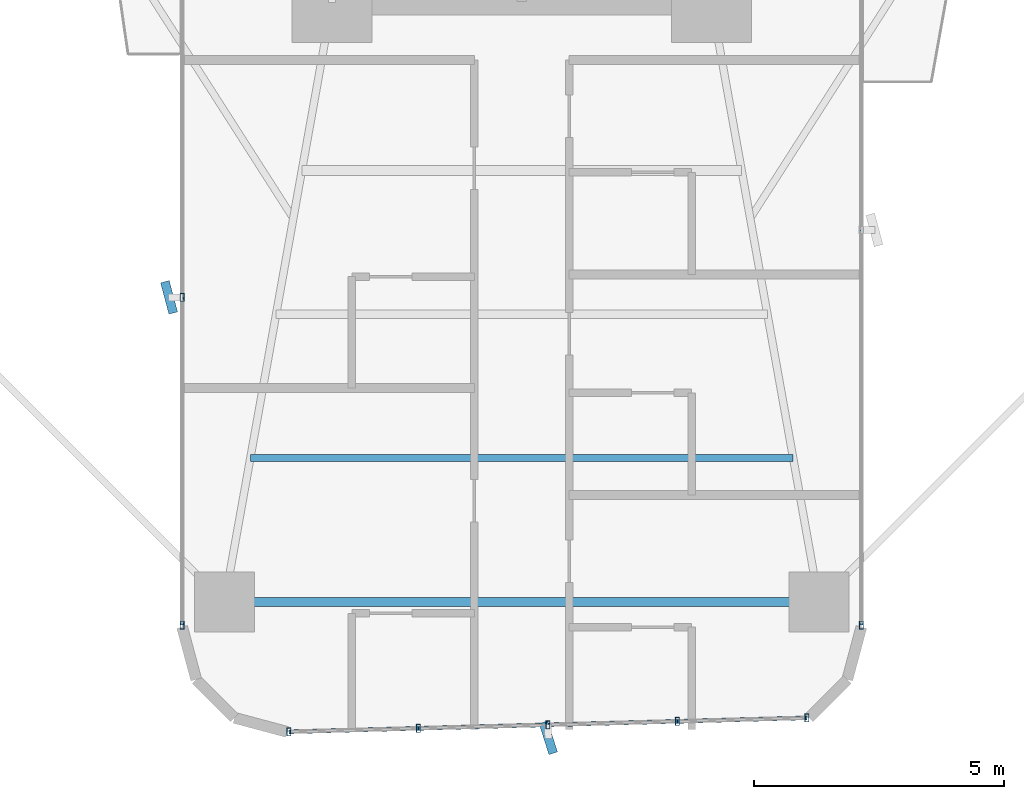
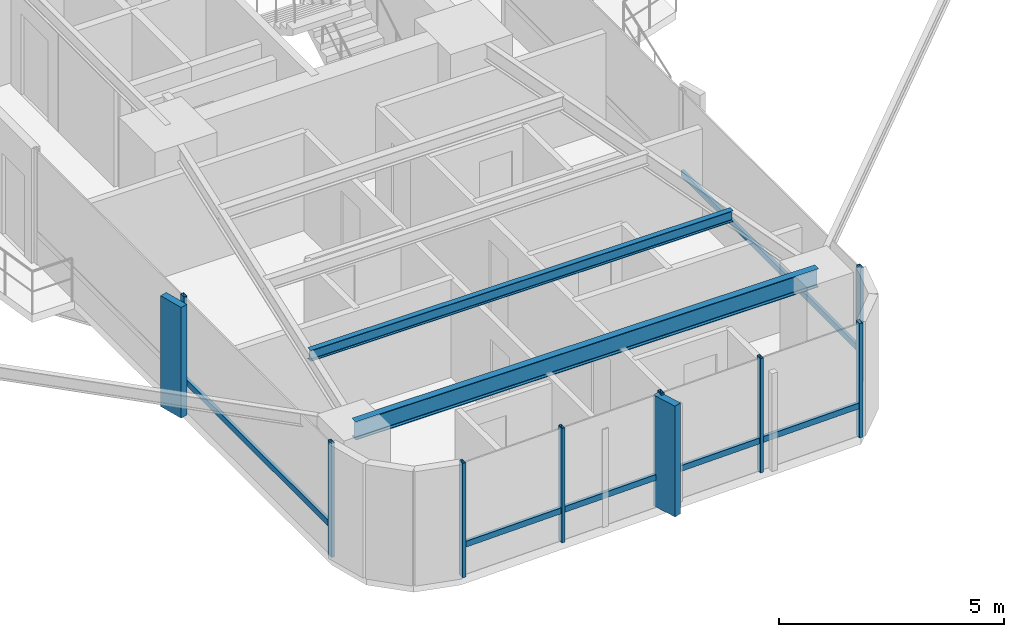
# One storey, part 2 of 25: 16 members, 2 beams, 3 elements without a shape of their own.
"""IFC4 building model written with IfcOpenShell, lengths in metres."""

from ifc_helpers import new_model, si_unit, direction, frame, origin, origin_2d, place, context, subcontext, project, spatial, rectangle, hollow_rectangle, i_section, extrude, source, transform, mapped, material, material_profile, profile_set, type_object, element, aggregate, save


model = new_model("IFC4")

# Units and contexts
model_context = context("Model", 3, precision=1e-05, world=origin(), true_north=direction((0.0, 1.0)))
body_context = subcontext(model_context, "Body", "Model", "MODEL_VIEW")
ifc_project = project(units=[si_unit("LENGTHUNIT", "METRE"), si_unit("AREAUNIT", "SQUARE_METRE"), si_unit("VOLUMEUNIT", "CUBIC_METRE"), si_unit("PLANEANGLEUNIT", "RADIAN"), si_unit("MASSUNIT", "GRAM", prefix="KILO")], contexts=[model_context])

# Site, building, storey
site_placement = place(None, origin())
site = spatial("IfcSite", under=ifc_project, at=site_placement, CompositionType="ELEMENT")
building_placement = place(site_placement, origin())
building = spatial("IfcBuilding", under=site, at=building_placement, Name="Sahyath Konkavel Grand Hotel", CompositionType="ELEMENT")
storey_placement = place(building_placement, frame((0.0, 0.0, 64.449951171875)))
storey = spatial("IfcBuildingStorey", under=building, at=storey_placement, Name="L17", CompositionType="ELEMENT", Elevation=64.449951171875)

# Beams
ifc_material_1 = material(Name="Steel E350", Category="steel")
ifc_material_profile_1 = material_profile(ifc_material_1, i_section(OverallWidth=0.179931640625, OverallDepth=0.5, WebThickness=0.01025390625, FlangeThickness=0.01708984375, FilletRadius=0.01708984375, at=origin_2d()), Name="ISMB 500")
ifc_profile_set_1 = profile_set([ifc_material_profile_1], Name="Steel E350")
beam_type_1 = type_object("IfcBeamType", Name="BM-ISMB500", PredefinedType="BEAM", material=ifc_profile_set_1)
shared_shape_1 = source(origin(), body_context, "Body", "SweptSolid", [
    extrude(i_section(OverallWidth=0.179931640625, OverallDepth=0.5, WebThickness=0.01025390625, FlangeThickness=0.01708984375, FilletRadius=0.01708984375, at=origin_2d()), origin(), (0.0, 0.0, 1.0), 11.89990234375),
])
beam_1_placement = place(storey_placement, frame((-5.949951171875, -22.199951171875, 2.860107421875), z_axis=(1.0, 0.0, 0.0), x_axis=(0.0, 1.0, 0.0)))
element("IfcBeam", 1, at=beam_1_placement, inside=storey, type_object=beam_type_1, Name="L17 Wing Tip Edge Beam S", PredefinedType="BEAM", context=body_context, shape_type="MappedRepresentation", body=[
    mapped(shared_shape_1, transform((0.0, 0.0, 0.0), scale=1.0)),
])
ifc_material_profile_2 = material_profile(ifc_material_1, i_section(OverallWidth=0.139892578125, OverallDepth=0.300048828125, WebThickness=0.0078125, FlangeThickness=0.01318359375, FilletRadius=0.013916015625, at=origin_2d()), Name="ISMB 300")
ifc_profile_set_2 = profile_set([ifc_material_profile_2], Name="Steel E350")
beam_type_2 = type_object("IfcBeamType", Name="BM-ISMB300", PredefinedType="BEAM", material=ifc_profile_set_2)
shared_shape_2 = source(origin(), body_context, "Body", "SweptSolid", [
    extrude(i_section(OverallWidth=0.139892578125, OverallDepth=0.300048828125, WebThickness=0.0078125, FlangeThickness=0.01318359375, FilletRadius=0.013916015625, at=origin_2d()), origin(), (0.0, 0.0, 1.0), 10.8681640625),
])
beam_2_placement = place(storey_placement, frame((-5.43408203125, -19.320068359375, 2.9599609375), z_axis=(1.0, 0.0, 0.0), x_axis=(0.0, 1.0, 0.0)))
element("IfcBeam", 2, at=beam_2_placement, inside=storey, type_object=beam_type_2, Name="L17 Secondary Floor Beam S-3", PredefinedType="BEAM", context=body_context, shape_type="MappedRepresentation", body=[
    mapped(shared_shape_2, transform((0.0, 0.0, 0.0), scale=1.0)),
])

# Curtain wall, member
ifc_material_2 = material(Name="Anodised Bronze Aluminium & Low-E Glazing", Category="aluminium")
curtain_wall_type = type_object("IfcCurtainWallType", Name="CW-ZONE1", PredefinedType="NOTDEFINED", material=ifc_material_2)
curtain_wall_1_placement = place(storey_placement, origin())
curtain_wall_1 = element("IfcCurtainWall", 3, at=curtain_wall_1_placement, inside=storey, type_object=curtain_wall_type, Name="L17 Unitised Curtain Wall F24", PredefinedType="NOTDEFINED")
ifc_material_3 = material(Name="Warm Buff Sandstone Cladding on Concrete C50/60", Category="masonry")
ifc_material_profile_3 = material_profile(ifc_material_3, rectangle(XDim=0.179931640625, YDim=0.64990234375, at=origin_2d()), Name="FIN 180x650")
ifc_profile_set_3 = profile_set([ifc_material_profile_3], Name="Warm Buff Sandstone Cladding on Concrete C50/60")
member_type_1 = type_object("IfcMemberType", Name="FIN-SANDSTONE-650", PredefinedType="MULLION", material=ifc_profile_set_3)
shared_shape_3 = source(origin(), body_context, "Body", "SweptSolid", [
    extrude(rectangle(XDim=0.179931640625, YDim=0.64990234375, at=origin_2d()), origin(), (0.0, 0.0, 1.0), 3.010009765625),
])
member_1_placement = place(storey_placement, frame((-7.06005859375, -16.10009765625, 0.050048828125), z_axis=(0.0, 0.0, 1.0), x_axis=(0.966420942741, 0.256964124795, 0.0)))
member_1 = element("IfcMember", 4, at=member_1_placement, type_object=member_type_1, Name="L17 Sandstone Vertical Solar Fin FIN F24-1", PredefinedType="MULLION", context=body_context, shape_type="MappedRepresentation", body=[
    mapped(shared_shape_3, transform((0.0, 0.0, 0.0), scale=1.0)),
])

curtain_wall_2_placement = place(storey_placement, origin())
curtain_wall_2 = element("IfcCurtainWall", 5, at=curtain_wall_2_placement, inside=storey, type_object=curtain_wall_type, Name="L17 Unitised Curtain Wall F28", PredefinedType="NOTDEFINED")
member_2_placement = place(storey_placement, frame((0.531982421875, -24.919189453125, 0.050048828125), z_axis=(0.0, 0.0, 1.0), x_axis=(0.952767550771, 0.303700500819, 0.0)))
member_2 = element("IfcMember", 6, at=member_2_placement, type_object=member_type_1, Name="L17 Sandstone Vertical Solar Fin FIN F28-2", PredefinedType="MULLION", context=body_context, shape_type="MappedRepresentation", body=[
    mapped(shared_shape_3, transform((0.0, 0.0, 0.0), scale=1.0)),
])

curtain_wall_3_placement = place(storey_placement, origin())
curtain_wall_3 = element("IfcCurtainWall", 7, at=curtain_wall_3_placement, inside=storey, type_object=curtain_wall_type, Name="L17 Unitised Curtain Wall F31", PredefinedType="NOTDEFINED")
ifc_material_4 = material(Name="Anodised Bronze Aluminium", Category="aluminium")
ifc_material_profile_4 = material_profile(ifc_material_4, hollow_rectangle(XDim=0.080078125, YDim=0.159912109375, WallThickness=0.006103515625, at=origin_2d()), Name="RHS 160x80x6")
ifc_profile_set_4 = profile_set([ifc_material_profile_4], Name="Anodised Bronze Aluminium")
member_type_2 = type_object("IfcMemberType", Name="CW-TRN-160", PredefinedType="USERDEFINED", material=ifc_profile_set_4)
shared_shape_4 = source(origin(), body_context, "Body", "SweptSolid", [
    extrude(hollow_rectangle(XDim=0.080078125, YDim=0.159912109375, WallThickness=0.006103515625, at=origin_2d()), origin(), (0.0, 0.0, 1.0), 7.909912109375),
])
member_3_placement = place(storey_placement, frame((6.800048828125, -22.659912109375, 0.85009765625), z_axis=(0.0, 1.0, 0.0), x_axis=(-1.0, 0.0, 0.0)))
member_3 = element("IfcMember", 8, at=member_3_placement, type_object=member_type_2, Name="L17 Curtain Wall Transom F31-0-spandrel", ObjectType="TRANSOM", PredefinedType="USERDEFINED", context=body_context, shape_type="MappedRepresentation", body=[
    mapped(shared_shape_4, transform((0.0, 0.0, 0.0), scale=1.0)),
])

# Member
shared_shape_5 = source(origin(), body_context, "Body", "SweptSolid", [
    extrude(hollow_rectangle(XDim=0.080078125, YDim=0.159912109375, WallThickness=0.006103515625, at=origin_2d()), origin(), (0.0, 0.0, 1.0), 2.593505859375),
])
member_4_placement = place(storey_placement, frame((-4.659912109375, -24.798828125, 0.85009765625), z_axis=(0.999637507825, 0.026923093252, 0.0), x_axis=(-0.026923093252, 0.999637507825, 0.0)))
member_4 = element("IfcMember", 9, at=member_4_placement, type_object=member_type_2, Name="L17 Curtain Wall Transom F28-0-spandrel", ObjectType="TRANSOM", PredefinedType="USERDEFINED", context=body_context, shape_type="MappedRepresentation", body=[
    mapped(shared_shape_5, transform((0.0, 0.0, 0.0), scale=1.0)),
])

member_5_placement = place(storey_placement, frame((0.52490234375, -24.6591796875, 0.85009765625), z_axis=(0.999640036937, 0.02682902444, 0.0), x_axis=(-0.02682902444, 0.999640036937, 0.0)))
member_5 = element("IfcMember", 10, at=member_5_placement, type_object=member_type_2, Name="L17 Curtain Wall Transom F28-2-spandrel", ObjectType="TRANSOM", PredefinedType="USERDEFINED", context=body_context, shape_type="MappedRepresentation", body=[
    mapped(shared_shape_5, transform((0.0, 0.0, 0.0), scale=1.0)),
])

member_6_placement = place(storey_placement, frame((3.117431640625, -24.589599609375, 0.85009765625), z_axis=(0.999637507825, 0.026923093252, 0.0), x_axis=(-0.026923093252, 0.999637507825, 0.0)))
member_6 = element("IfcMember", 11, at=member_6_placement, type_object=member_type_2, Name="L17 Curtain Wall Transom F28-3-spandrel", ObjectType="TRANSOM", PredefinedType="USERDEFINED", context=body_context, shape_type="MappedRepresentation", body=[
    mapped(shared_shape_5, transform((0.0, 0.0, 0.0), scale=1.0)),
])

shared_shape_6 = source(origin(), body_context, "Body", "SweptSolid", [
    extrude(hollow_rectangle(XDim=0.080078125, YDim=0.159912109375, WallThickness=0.006103515625, at=origin_2d()), origin(), (0.0, 0.0, 1.0), 2.59326171875),
])
member_7_placement = place(storey_placement, frame((-2.0673828125, -24.72900390625, 0.85009765625), z_axis=(0.99963743958, 0.026925627022, 0.0), x_axis=(-0.026925627022, 0.99963743958, 0.0)))
member_7 = element("IfcMember", 12, at=member_7_placement, type_object=member_type_2, Name="L17 Curtain Wall Transom F28-1-spandrel", ObjectType="TRANSOM", PredefinedType="USERDEFINED", context=body_context, shape_type="MappedRepresentation", body=[
    mapped(shared_shape_6, transform((0.0, 0.0, 0.0), scale=1.0)),
])

ifc_material_profile_5 = material_profile(ifc_material_4, hollow_rectangle(XDim=0.080078125, YDim=0.159912109375, WallThickness=0.006103515625, at=origin_2d()), Name="RHS 160x80x6")
ifc_profile_set_5 = profile_set([ifc_material_profile_5], Name="Anodised Bronze Aluminium")
member_type_3 = type_object("IfcMemberType", Name="CW-MUL-160", PredefinedType="MULLION", material=ifc_profile_set_5)
shared_shape_7 = source(origin(), body_context, "Body", "SweptSolid", [
    extrude(hollow_rectangle(XDim=0.080078125, YDim=0.159912109375, WallThickness=0.006103515625, at=origin_2d()), origin(), (0.0, 0.0, 1.0), 3.110107421875),
])
member_8_placement = place(storey_placement, frame((-6.800048828125, -16.10009765625, 0.0), z_axis=(0.0, 0.0, 1.0), x_axis=(1.0, 0.0, 0.0)))
member_8 = element("IfcMember", 13, at=member_8_placement, type_object=member_type_3, Name="L17 Curtain Wall Mullion F24-1", PredefinedType="MULLION", context=body_context, shape_type="MappedRepresentation", body=[
    mapped(shared_shape_7, transform((0.0, 0.0, 0.0), scale=1.0)),
])

member_9_placement = place(storey_placement, frame((-6.800048828125, -22.659912109375, 0.0), z_axis=(0.0, 0.0, 1.0), x_axis=(1.0, 0.0, 0.0)))
member_9 = element("IfcMember", 14, at=member_9_placement, type_object=member_type_3, Name="L17 Curtain Wall Mullion F24-2", PredefinedType="MULLION", context=body_context, shape_type="MappedRepresentation", body=[
    mapped(shared_shape_7, transform((0.0, 0.0, 0.0), scale=1.0)),
])

member_10_placement = place(storey_placement, frame((-4.659912109375, -24.798828125, 0.0), z_axis=(0.0, 0.0, 1.0), x_axis=(1.0, 0.0, 0.0)))
member_10 = element("IfcMember", 15, at=member_10_placement, type_object=member_type_3, Name="L17 Curtain Wall Mullion F28-0", PredefinedType="MULLION", context=body_context, shape_type="MappedRepresentation", body=[
    mapped(shared_shape_7, transform((0.0, 0.0, 0.0), scale=1.0)),
])

member_11_placement = place(storey_placement, frame((-2.0673828125, -24.72900390625, 0.0), z_axis=(0.0, 0.0, 1.0), x_axis=(1.0, 0.0, 0.0)))
member_11 = element("IfcMember", 16, at=member_11_placement, type_object=member_type_3, Name="L17 Curtain Wall Mullion F28-1", PredefinedType="MULLION", context=body_context, shape_type="MappedRepresentation", body=[
    mapped(shared_shape_7, transform((0.0, 0.0, 0.0), scale=1.0)),
])

member_12_placement = place(storey_placement, frame((0.52490234375, -24.6591796875, 0.0), z_axis=(0.0, 0.0, 1.0), x_axis=(1.0, 0.0, 0.0)))
member_12 = element("IfcMember", 17, at=member_12_placement, type_object=member_type_3, Name="L17 Curtain Wall Mullion F28-2", PredefinedType="MULLION", context=body_context, shape_type="MappedRepresentation", body=[
    mapped(shared_shape_7, transform((0.0, 0.0, 0.0), scale=1.0)),
])

member_13_placement = place(storey_placement, frame((3.117431640625, -24.589599609375, 0.0), z_axis=(0.0, 0.0, 1.0), x_axis=(1.0, 0.0, 0.0)))
member_13 = element("IfcMember", 18, at=member_13_placement, type_object=member_type_3, Name="L17 Curtain Wall Mullion F28-3", PredefinedType="MULLION", context=body_context, shape_type="MappedRepresentation", body=[
    mapped(shared_shape_7, transform((0.0, 0.0, 0.0), scale=1.0)),
])

member_14_placement = place(storey_placement, frame((5.7099609375, -24.519775390625, 0.0), z_axis=(0.0, 0.0, 1.0), x_axis=(1.0, 0.0, 0.0)))
member_14 = element("IfcMember", 19, at=member_14_placement, type_object=member_type_3, Name="L17 Curtain Wall Mullion F28-4", PredefinedType="MULLION", context=body_context, shape_type="MappedRepresentation", body=[
    mapped(shared_shape_7, transform((0.0, 0.0, 0.0), scale=1.0)),
])

aggregate(curtain_wall_2, [member_10, member_11, member_12, member_2, member_13, member_14, member_4, member_7, member_5, member_6])

member_15_placement = place(storey_placement, frame((6.800048828125, -22.659912109375, 0.0), z_axis=(0.0, 0.0, 1.0), x_axis=(1.0, 0.0, 0.0)))
member_15 = element("IfcMember", 20, at=member_15_placement, type_object=member_type_3, Name="L17 Curtain Wall Mullion F31-0", PredefinedType="MULLION", context=body_context, shape_type="MappedRepresentation", body=[
    mapped(shared_shape_7, transform((0.0, 0.0, 0.0), scale=1.0)),
])

aggregate(curtain_wall_3, [member_15, member_3])

shared_shape_8 = source(origin(), body_context, "Body", "SweptSolid", [
    extrude(hollow_rectangle(XDim=0.080078125, YDim=0.159912109375, WallThickness=0.006103515625, at=origin_2d()), origin(), (0.0, 0.0, 1.0), 6.559814453125),
])
member_16_placement = place(storey_placement, frame((-6.800048828125, -16.10009765625, 0.85009765625), z_axis=(0.0, -1.0, 0.0), x_axis=(1.0, 0.0, 0.0)))
member_16 = element("IfcMember", 21, at=member_16_placement, type_object=member_type_2, Name="L17 Curtain Wall Transom F24-1-spandrel", ObjectType="TRANSOM", PredefinedType="USERDEFINED", context=body_context, shape_type="MappedRepresentation", body=[
    mapped(shared_shape_8, transform((0.0, 0.0, 0.0), scale=1.0)),
])

aggregate(curtain_wall_1, [member_8, member_1, member_9, member_16])

save(model, "model.ifc")
